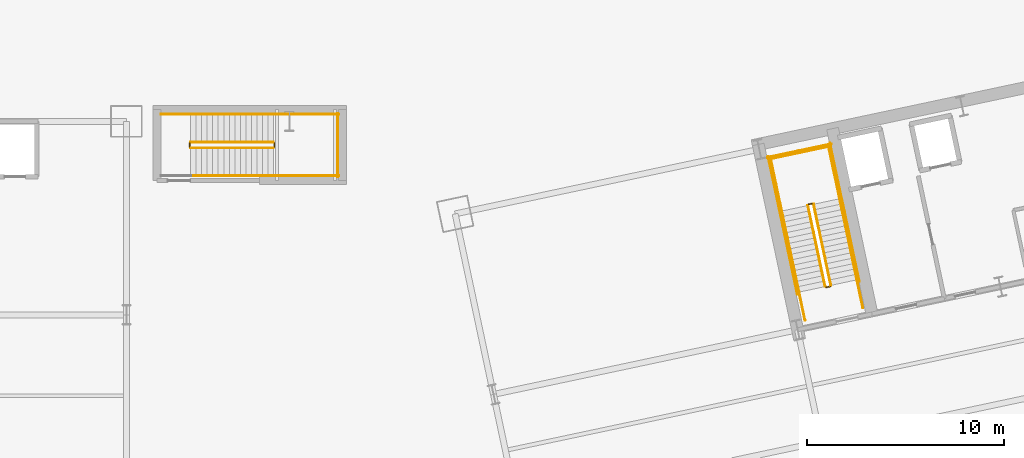
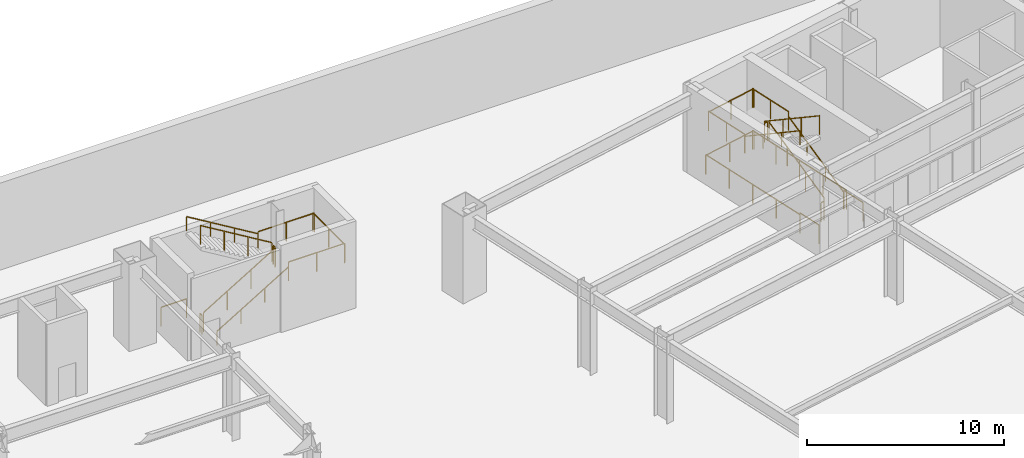
# One storey, part 15 of 16: 24 railings.
"""IFC4 building model written with IfcOpenShell, lengths in metres."""

from ifc_helpers import new_model, si_unit, direction, frame, origin, origin_2d, place, context, subcontext, project, spatial, rectangle, extrude, material, type_object, element, save


model = new_model("IFC4")

# Units and contexts
model_context = context("Model", 3, precision=1e-05, world=origin(), true_north=direction((0.0, 1.0)))
body_context = subcontext(model_context, "Body", "Model", "MODEL_VIEW")
ifc_project = project(units=[si_unit("LENGTHUNIT", "METRE"), si_unit("AREAUNIT", "SQUARE_METRE"), si_unit("VOLUMEUNIT", "CUBIC_METRE"), si_unit("PLANEANGLEUNIT", "RADIAN"), si_unit("MASSUNIT", "GRAM", prefix="KILO")], contexts=[model_context])

# Site, building, storey
site_placement = place(None, origin())
site = spatial("IfcSite", under=ifc_project, at=site_placement, CompositionType="ELEMENT")
building_placement = place(site_placement, origin())
building = spatial("IfcBuilding", under=site, at=building_placement, Name="Haevon Station Towers", CompositionType="ELEMENT")
storey_placement = place(building_placement, frame((0.0, 0.0, -5.39990234375)))
storey = spatial("IfcBuildingStorey", under=building, at=storey_placement, Name="B01", CompositionType="ELEMENT", Elevation=-5.39990234375)

# Railings
ifc_material = material(Name="Steel S355", Category="steel")
railing_type_1 = type_object("IfcRailingType", Name="GRD-STR1200", PredefinedType="GUARDRAIL", material=ifc_material)
railing_1_placement = place(storey_placement, frame((100.44140625, 39.69287109375, 0.168701171875)))
element("IfcRailing", 1, at=railing_1_placement, inside=storey, type_object=railing_type_1, Name="B01 ST3 Stair Guard 1", PredefinedType="GUARDRAIL", context=body_context, shape_type="SweptSolid", body=[
    extrude(rectangle(XDim=0.048095703125, YDim=0.048095703125, at=origin_2d()), frame((0.0, 0.0, 1.17578125), z_axis=(-0.1780862493, 0.837757147603, 0.516186254612), x_axis=(-0.978143927149, -0.207928972925, 0.0)), (0.0, 0.0, 1.0), 4.90380859375),
    extrude(rectangle(XDim=0.0419921875, YDim=0.0419921875, at=origin_2d()), origin(), (0.0, 0.0, 1.0), 1.15185546875),
    extrude(rectangle(XDim=0.0419921875, YDim=0.0419921875, at=origin_2d()), frame((-0.291015625, 1.369384765625, 0.84375)), (0.0, 0.0, 1.0), 1.15185546875),
    extrude(rectangle(XDim=0.0419921875, YDim=0.0419921875, at=origin_2d()), frame((-0.582275390625, 2.73876953125, 1.6875)), (0.0, 0.0, 1.0), 1.15185546875),
    extrude(rectangle(XDim=0.0419921875, YDim=0.0419921875, at=origin_2d()), frame((-0.873291015625, 4.108154296875, 2.53125)), (0.0, 0.0, 1.0), 1.15185546875),
])
railing_2_placement = place(storey_placement, frame((99.5087890625, 43.839599609375, 2.699951171875)))
element("IfcRailing", 2, at=railing_2_placement, inside=storey, type_object=railing_type_1, Name="B01 ST3 Stair Guard 2", PredefinedType="GUARDRAIL", context=body_context, shape_type="SweptSolid", body=[
    extrude(rectangle(XDim=0.048095703125, YDim=0.048095703125, at=origin_2d()), frame((0.0, 0.0, 1.17578125), z_axis=(-0.977962931203, -0.208778603291, 0.0), x_axis=(0.208778603291, -0.977962931203, 0.0)), (0.0, 0.0, 1.0), 0.199951171875),
    extrude(rectangle(XDim=0.0419921875, YDim=0.0419921875, at=origin_2d()), origin(), (0.0, 0.0, 1.0), 1.15185546875),
    extrude(rectangle(XDim=0.0419921875, YDim=0.0419921875, at=origin_2d()), frame((-0.195556640625, -0.041748046875, 0.0)), (0.0, 0.0, 1.0), 1.15185546875),
])
railing_3_placement = place(storey_placement, frame((100.888671875, 44.08154296875, 2.699951171875)))
element("IfcRailing", 3, at=railing_3_placement, inside=storey, type_object=railing_type_1, Name="B01 ST3 Stair Guard 3", PredefinedType="GUARDRAIL", context=body_context, shape_type="SweptSolid", body=[
    extrude(rectangle(XDim=0.048095703125, YDim=0.048095703125, at=origin_2d()), frame((0.0, 0.0, 1.17578125), z_axis=(-0.207916090984, 0.978146665439, 0.0), x_axis=(-0.978146665439, -0.207916090984, 0.0)), (0.0, 0.0, 1.0), 2.75),
    extrude(rectangle(XDim=0.0419921875, YDim=0.0419921875, at=origin_2d()), origin(), (0.0, 0.0, 1.0), 1.15185546875),
    extrude(rectangle(XDim=0.0419921875, YDim=0.0419921875, at=origin_2d()), frame((-0.285888671875, 1.344970703125, 0.0)), (0.0, 0.0, 1.0), 1.15185546875),
    extrude(rectangle(XDim=0.0419921875, YDim=0.0419921875, at=origin_2d()), frame((-0.57177734375, 2.68994140625, 0.0)), (0.0, 0.0, 1.0), 1.15185546875),
])
railing_4_placement = place(storey_placement, frame((97.9541015625, 43.4580078125, 2.699951171875)))
element("IfcRailing", 4, at=railing_4_placement, inside=storey, type_object=railing_type_1, Name="B01 ST3 Stair Guard 4", PredefinedType="GUARDRAIL", context=body_context, shape_type="SweptSolid", body=[
    extrude(rectangle(XDim=0.048095703125, YDim=0.048095703125, at=origin_2d()), frame((0.0, 0.0, 1.17578125), z_axis=(-0.207831149236, 0.97816471691, 0.0), x_axis=(-0.97816471691, -0.207831149236, 0.0)), (0.0, 0.0, 1.0), 2.75),
    extrude(rectangle(XDim=0.0419921875, YDim=0.0419921875, at=origin_2d()), origin(), (0.0, 0.0, 1.0), 1.15185546875),
    extrude(rectangle(XDim=0.0419921875, YDim=0.0419921875, at=origin_2d()), frame((-0.28564453125, 1.344970703125, 0.0)), (0.0, 0.0, 1.0), 1.15185546875),
    extrude(rectangle(XDim=0.0419921875, YDim=0.0419921875, at=origin_2d()), frame((-0.571533203125, 2.68994140625, 0.0)), (0.0, 0.0, 1.0), 1.15185546875),
])
railing_5_placement = place(storey_placement, frame((100.376220703125, 46.733154296875, 2.699951171875)))
element("IfcRailing", 5, at=railing_5_placement, inside=storey, type_object=railing_type_1, Name="B01 ST3 Stair Guard 5", PredefinedType="GUARDRAIL", context=body_context, shape_type="SweptSolid", body=[
    extrude(rectangle(XDim=0.048095703125, YDim=0.048095703125, at=origin_2d()), frame((0.0, 0.0, 1.17578125), z_axis=(-0.978146839882, -0.207915270313, 0.0), x_axis=(0.207915270313, -0.978146839882, 0.0)), (0.0, 0.0, 1.0), 3.099853515625),
    extrude(rectangle(XDim=0.0419921875, YDim=0.0419921875, at=origin_2d()), origin(), (0.0, 0.0, 1.0), 1.15185546875),
    extrude(rectangle(XDim=0.0419921875, YDim=0.0419921875, at=origin_2d()), frame((-1.51611328125, -0.322265625, 0.0)), (0.0, 0.0, 1.0), 1.15185546875),
    extrude(rectangle(XDim=0.0419921875, YDim=0.0419921875, at=origin_2d()), frame((-3.0322265625, -0.64453125, 0.0)), (0.0, 0.0, 1.0), 1.15185546875),
])
railing_6_placement = place(storey_placement, frame((99.274658203125, 43.738525390625, 2.86865234375)))
element("IfcRailing", 6, at=railing_6_placement, inside=storey, type_object=railing_type_1, Name="B01 ST3 Stair Guard 6", PredefinedType="GUARDRAIL", context=body_context, shape_type="SweptSolid", body=[
    extrude(rectangle(XDim=0.048095703125, YDim=0.048095703125, at=origin_2d()), frame((0.0, 0.0, 1.17578125), z_axis=(0.1780862493, -0.837757147603, 0.516186254612), x_axis=(0.978143927149, 0.207928972925, 0.0)), (0.0, 0.0, 1.0), 4.90380859375),
    extrude(rectangle(XDim=0.0419921875, YDim=0.0419921875, at=origin_2d()), origin(), (0.0, 0.0, 1.0), 1.15185546875),
    extrude(rectangle(XDim=0.0419921875, YDim=0.0419921875, at=origin_2d()), frame((0.291015625, -1.369384765625, 0.84375)), (0.0, 0.0, 1.0), 1.15185546875),
    extrude(rectangle(XDim=0.0419921875, YDim=0.0419921875, at=origin_2d()), frame((0.582275390625, -2.73876953125, 1.6875)), (0.0, 0.0, 1.0), 1.15185546875),
    extrude(rectangle(XDim=0.0419921875, YDim=0.0419921875, at=origin_2d()), frame((0.873291015625, -4.108154296875, 2.53125)), (0.0, 0.0, 1.0), 1.15185546875),
])
railing_7_placement = place(storey_placement, frame((100.40283203125, 39.633544921875, 0.0)))
element("IfcRailing", 7, at=railing_7_placement, inside=storey, type_object=railing_type_1, Name="B01 ST3 Stair Guard 7", PredefinedType="GUARDRAIL", context=body_context, shape_type="SweptSolid", body=[
    extrude(rectangle(XDim=0.048095703125, YDim=0.048095703125, at=origin_2d()), frame((0.0, 0.0, 1.17578125), z_axis=(-0.977962931203, -0.208778603291, 0.0), x_axis=(0.208778603291, -0.977962931203, 0.0)), (0.0, 0.0, 1.0), 0.199951171875),
    extrude(rectangle(XDim=0.0419921875, YDim=0.0419921875, at=origin_2d()), origin(), (0.0, 0.0, 1.0), 1.15185546875),
    extrude(rectangle(XDim=0.0419921875, YDim=0.0419921875, at=origin_2d()), frame((-0.195556640625, -0.041748046875, 0.0)), (0.0, 0.0, 1.0), 1.15185546875),
])
for number, where, name in (
    (8, (102.0634765625, 38.55517578125, 0.0), "B01 ST3 Stair Guard 8"),
    (9, (99.12890625, 37.931396484375, 0.0), "B01 ST3 Stair Guard 9"),
):
    element("IfcRailing", number, at=place(storey_placement, frame(where)), inside=storey, type_object=railing_type_1, Name=name, PredefinedType="GUARDRAIL", context=body_context, shape_type="SweptSolid", body=[
        extrude(rectangle(XDim=0.048095703125, YDim=0.048095703125, at=origin_2d()), frame((0.0, 0.0, 1.17578125), z_axis=(-0.207953405961, 0.978138732977, 0.0), x_axis=(-0.978138732977, -0.207953405961, 0.0)), (0.0, 0.0, 1.0), 1.449951171875),
        extrude(rectangle(XDim=0.0419921875, YDim=0.0419921875, at=origin_2d()), origin(), (0.0, 0.0, 1.0), 1.15185546875),
        extrude(rectangle(XDim=0.0419921875, YDim=0.0419921875, at=origin_2d()), frame((-0.301513671875, 1.418212890625, 0.0)), (0.0, 0.0, 1.0), 1.15185546875),
    ])
railing_8_placement = place(storey_placement, frame((101.88037109375, 39.896484375, 0.0)))
element("IfcRailing", 10, at=railing_8_placement, inside=storey, type_object=railing_type_1, Name="B01 ST3 Stair Guard 10", PredefinedType="GUARDRAIL", context=body_context, shape_type="SweptSolid", body=[
    extrude(rectangle(XDim=0.048095703125, YDim=0.048095703125, at=origin_2d()), frame((0.0, 0.0, 1.17578125), z_axis=(-0.207882442208, 0.978153817261, 0.0), x_axis=(-0.978153817261, -0.207882442208, 0.0)), (0.0, 0.0, 1.0), 7.14990234375),
    extrude(rectangle(XDim=0.0419921875, YDim=0.0419921875, at=origin_2d()), origin(), (0.0, 0.0, 1.0), 1.15185546875),
    extrude(rectangle(XDim=0.0419921875, YDim=0.0419921875, at=origin_2d()), frame((-0.37158203125, 1.74853515625, 0.0)), (0.0, 0.0, 1.0), 1.15185546875),
    extrude(rectangle(XDim=0.0419921875, YDim=0.0419921875, at=origin_2d()), frame((-0.7431640625, 3.496826171875, 0.0)), (0.0, 0.0, 1.0), 1.15185546875),
    extrude(rectangle(XDim=0.0419921875, YDim=0.0419921875, at=origin_2d()), frame((-1.11474609375, 5.2451171875, 0.0)), (0.0, 0.0, 1.0), 1.15185546875),
    extrude(rectangle(XDim=0.0419921875, YDim=0.0419921875, at=origin_2d()), frame((-1.486328125, 6.99365234375, 0.0)), (0.0, 0.0, 1.0), 1.15185546875),
])
railing_9_placement = place(storey_placement, frame((98.75048828125, 39.231201171875, 0.0)))
element("IfcRailing", 11, at=railing_9_placement, inside=storey, type_object=railing_type_1, Name="B01 ST3 Stair Guard 11", PredefinedType="GUARDRAIL", context=body_context, shape_type="SweptSolid", body=[
    extrude(rectangle(XDim=0.048095703125, YDim=0.048095703125, at=origin_2d()), frame((0.0, 0.0, 1.17578125), z_axis=(-0.207915112487, 0.978146873429, 0.0), x_axis=(-0.978146873429, -0.207915112487, 0.0)), (0.0, 0.0, 1.0), 7.14990234375),
    extrude(rectangle(XDim=0.0419921875, YDim=0.0419921875, at=origin_2d()), origin(), (0.0, 0.0, 1.0), 1.15185546875),
    extrude(rectangle(XDim=0.0419921875, YDim=0.0419921875, at=origin_2d()), frame((-0.37158203125, 1.74853515625, 0.0)), (0.0, 0.0, 1.0), 1.15185546875),
    extrude(rectangle(XDim=0.0419921875, YDim=0.0419921875, at=origin_2d()), frame((-0.7431640625, 3.496826171875, 0.0)), (0.0, 0.0, 1.0), 1.15185546875),
    extrude(rectangle(XDim=0.0419921875, YDim=0.0419921875, at=origin_2d()), frame((-1.114990234375, 5.2451171875, 0.0)), (0.0, 0.0, 1.0), 1.15185546875),
    extrude(rectangle(XDim=0.0419921875, YDim=0.0419921875, at=origin_2d()), frame((-1.486572265625, 6.99365234375, 0.0)), (0.0, 0.0, 1.0), 1.15185546875),
])
railing_10_placement = place(storey_placement, frame((100.453125, 46.8515625, 0.0)))
element("IfcRailing", 12, at=railing_10_placement, inside=storey, type_object=railing_type_1, Name="B01 ST3 Stair Guard 12", PredefinedType="GUARDRAIL", context=body_context, shape_type="SweptSolid", body=[
    extrude(rectangle(XDim=0.048095703125, YDim=0.048095703125, at=origin_2d()), frame((0.0, 0.0, 1.17578125), z_axis=(-0.978150764849, -0.207896804268, 0.0), x_axis=(0.207896804268, -0.978150764849, 0.0)), (0.0, 0.0, 1.0), 3.2998046875),
    extrude(rectangle(XDim=0.0419921875, YDim=0.0419921875, at=origin_2d()), origin(), (0.0, 0.0, 1.0), 1.15185546875),
    extrude(rectangle(XDim=0.0419921875, YDim=0.0419921875, at=origin_2d()), frame((-1.61376953125, -0.343017578125, 0.0)), (0.0, 0.0, 1.0), 1.15185546875),
    extrude(rectangle(XDim=0.0419921875, YDim=0.0419921875, at=origin_2d()), frame((-3.227783203125, -0.68603515625, 0.0)), (0.0, 0.0, 1.0), 1.15185546875),
])
railing_11_placement = place(storey_placement, frame((68.0, 46.64990234375, 0.168701171875)))
element("IfcRailing", 13, at=railing_11_placement, inside=storey, type_object=railing_type_1, Name="B01 ST6 Stair Guard 1", PredefinedType="GUARDRAIL", context=body_context, shape_type="SweptSolid", body=[
    extrude(rectangle(XDim=0.048095703125, YDim=0.048095703125, at=origin_2d()), frame((0.0, 0.0, 1.17578125), z_axis=(0.856476492594, 0.0, 0.516186030065), x_axis=(0.0, 1.0, 0.0)), (0.0, 0.0, 1.0), 4.90380859375),
    extrude(rectangle(XDim=0.0419921875, YDim=0.0419921875, at=origin_2d()), origin(), (0.0, 0.0, 1.0), 1.15185546875),
    extrude(rectangle(XDim=0.0419921875, YDim=0.0419921875, at=origin_2d()), frame((1.39990234375, 0.0, 0.84375)), (0.0, 0.0, 1.0), 1.15185546875),
    extrude(rectangle(XDim=0.0419921875, YDim=0.0419921875, at=origin_2d()), frame((2.800048828125, 0.0, 1.6875)), (0.0, 0.0, 1.0), 1.15185546875),
    extrude(rectangle(XDim=0.0419921875, YDim=0.0419921875, at=origin_2d()), frame((4.199951171875, 0.0, 2.53125)), (0.0, 0.0, 1.0), 1.15185546875),
])
railing_12_placement = place(storey_placement, frame((72.25, 46.699951171875, 2.699951171875)))
element("IfcRailing", 14, at=railing_12_placement, inside=storey, type_object=railing_type_1, Name="B01 ST6 Stair Guard 2", PredefinedType="GUARDRAIL", context=body_context, shape_type="SweptSolid", body=[
    extrude(rectangle(XDim=0.048095703125, YDim=0.048095703125, at=origin_2d()), frame((0.0, 0.0, 1.17578125), z_axis=(0.0, 1.0, 0.0), x_axis=(-1.0, 0.0, 0.0)), (0.0, 0.0, 1.0), 0.199951171875),
    extrude(rectangle(XDim=0.0419921875, YDim=0.0419921875, at=origin_2d()), origin(), (0.0, 0.0, 1.0), 1.15185546875),
    extrude(rectangle(XDim=0.0419921875, YDim=0.0419921875, at=origin_2d()), frame((0.0, 0.199951171875, 0.0)), (0.0, 0.0, 1.0), 1.15185546875),
])
for number, where, name in (
    (15, (72.199951171875, 45.25, 2.699951171875), "B01 ST6 Stair Guard 3"),
    (16, (72.199951171875, 48.35009765625, 2.699951171875), "B01 ST6 Stair Guard 4"),
):
    element("IfcRailing", number, at=place(storey_placement, frame(where)), inside=storey, type_object=railing_type_1, Name=name, PredefinedType="GUARDRAIL", context=body_context, shape_type="SweptSolid", body=[
        extrude(rectangle(XDim=0.048095703125, YDim=0.048095703125, at=origin_2d()), frame((0.0, 0.0, 1.17578125), z_axis=(1.0, 0.0, 0.0), x_axis=(0.0, 1.0, 0.0)), (0.0, 0.0, 1.0), 3.300048828125),
        extrude(rectangle(XDim=0.0419921875, YDim=0.0419921875, at=origin_2d()), origin(), (0.0, 0.0, 1.0), 1.15185546875),
        extrude(rectangle(XDim=0.0419921875, YDim=0.0419921875, at=origin_2d()), frame((1.64990234375, 0.0, 0.0)), (0.0, 0.0, 1.0), 1.15185546875),
        extrude(rectangle(XDim=0.0419921875, YDim=0.0419921875, at=origin_2d()), frame((3.300048828125, 0.0, 0.0)), (0.0, 0.0, 1.0), 1.15185546875),
    ])
railing_13_placement = place(storey_placement, frame((75.449951171875, 45.199951171875, 2.699951171875)))
element("IfcRailing", 17, at=railing_13_placement, inside=storey, type_object=railing_type_1, Name="B01 ST6 Stair Guard 5", PredefinedType="GUARDRAIL", context=body_context, shape_type="SweptSolid", body=[
    extrude(rectangle(XDim=0.048095703125, YDim=0.048095703125, at=origin_2d()), frame((0.0, 0.0, 1.17578125), z_axis=(0.0, 1.0, 0.0), x_axis=(-1.0, 0.0, 0.0)), (0.0, 0.0, 1.0), 3.199951171875),
    extrude(rectangle(XDim=0.0419921875, YDim=0.0419921875, at=origin_2d()), origin(), (0.0, 0.0, 1.0), 1.15185546875),
    extrude(rectangle(XDim=0.0419921875, YDim=0.0419921875, at=origin_2d()), frame((0.0, 1.60009765625, 0.0)), (0.0, 0.0, 1.0), 1.15185546875),
    extrude(rectangle(XDim=0.0419921875, YDim=0.0419921875, at=origin_2d()), frame((0.0, 3.199951171875, 0.0)), (0.0, 0.0, 1.0), 1.15185546875),
])
railing_14_placement = place(storey_placement, frame((72.199951171875, 46.949951171875, 2.86865234375)))
element("IfcRailing", 18, at=railing_14_placement, inside=storey, type_object=railing_type_1, Name="B01 ST6 Stair Guard 6", PredefinedType="GUARDRAIL", context=body_context, shape_type="SweptSolid", body=[
    extrude(rectangle(XDim=0.048095703125, YDim=0.048095703125, at=origin_2d()), frame((0.0, 0.0, 1.17578125), z_axis=(-0.856476492594, 0.0, 0.516186030065), x_axis=(0.0, -1.0, 0.0)), (0.0, 0.0, 1.0), 4.90380859375),
    extrude(rectangle(XDim=0.0419921875, YDim=0.0419921875, at=origin_2d()), origin(), (0.0, 0.0, 1.0), 1.15185546875),
    extrude(rectangle(XDim=0.0419921875, YDim=0.0419921875, at=origin_2d()), frame((-1.39990234375, 0.0, 0.84375)), (0.0, 0.0, 1.0), 1.15185546875),
    extrude(rectangle(XDim=0.0419921875, YDim=0.0419921875, at=origin_2d()), frame((-2.800048828125, 0.0, 1.6875)), (0.0, 0.0, 1.0), 1.15185546875),
    extrude(rectangle(XDim=0.0419921875, YDim=0.0419921875, at=origin_2d()), frame((-4.199951171875, 0.0, 2.53125)), (0.0, 0.0, 1.0), 1.15185546875),
])
railing_15_placement = place(storey_placement, frame((67.949951171875, 46.699951171875, 0.0)))
element("IfcRailing", 19, at=railing_15_placement, inside=storey, type_object=railing_type_1, Name="B01 ST6 Stair Guard 7", PredefinedType="GUARDRAIL", context=body_context, shape_type="SweptSolid", body=[
    extrude(rectangle(XDim=0.048095703125, YDim=0.048095703125, at=origin_2d()), frame((0.0, 0.0, 1.17578125), z_axis=(0.0, 1.0, 0.0), x_axis=(-1.0, 0.0, 0.0)), (0.0, 0.0, 1.0), 0.199951171875),
    extrude(rectangle(XDim=0.0419921875, YDim=0.0419921875, at=origin_2d()), origin(), (0.0, 0.0, 1.0), 1.15185546875),
    extrude(rectangle(XDim=0.0419921875, YDim=0.0419921875, at=origin_2d()), frame((0.0, 0.199951171875, 0.0)), (0.0, 0.0, 1.0), 1.15185546875),
])
railing_16_placement = place(storey_placement, frame((66.5, 48.35009765625, 0.0)))
element("IfcRailing", 20, at=railing_16_placement, inside=storey, type_object=railing_type_1, Name="B01 ST6 Stair Guard 9", PredefinedType="GUARDRAIL", context=body_context, shape_type="SweptSolid", body=[
    extrude(rectangle(XDim=0.048095703125, YDim=0.048095703125, at=origin_2d()), frame((0.0, 0.0, 1.17578125), z_axis=(1.0, 0.0, 0.0), x_axis=(0.0, 1.0, 0.0)), (0.0, 0.0, 1.0), 1.5),
    extrude(rectangle(XDim=0.0419921875, YDim=0.0419921875, at=origin_2d()), origin(), (0.0, 0.0, 1.0), 1.15185546875),
    extrude(rectangle(XDim=0.0419921875, YDim=0.0419921875, at=origin_2d()), frame((1.5, 0.0, 0.0)), (0.0, 0.0, 1.0), 1.15185546875),
])
railing_type_2 = type_object("IfcRailingType", Name="HND-STR900", PredefinedType="HANDRAIL", material=ifc_material)
railing_17_placement = place(storey_placement, frame((101.761962890625, 39.973388671875, 0.168701171875)))
element("IfcRailing", 21, at=railing_17_placement, inside=storey, type_object=railing_type_2, Name="B01 ST3 Stair Handrail 1", PredefinedType="HANDRAIL", context=body_context, shape_type="SweptSolid", body=[
    extrude(rectangle(XDim=0.048095703125, YDim=0.048095703125, at=origin_2d()), frame((0.0, 0.0, 0.8759765625), z_axis=(-0.1780862493, 0.837757147603, 0.516186254612), x_axis=(-0.978143927149, -0.207928972925, 0.0)), (0.0, 0.0, 1.0), 4.90380859375),
    extrude(rectangle(XDim=0.0419921875, YDim=0.0419921875, at=origin_2d()), origin(), (0.0, 0.0, 1.0), 0.851806640625),
    extrude(rectangle(XDim=0.0419921875, YDim=0.0419921875, at=origin_2d()), frame((-0.291015625, 1.369384765625, 0.84375)), (0.0, 0.0, 1.0), 0.851806640625),
    extrude(rectangle(XDim=0.0419921875, YDim=0.0419921875, at=origin_2d()), frame((-0.582275390625, 2.73876953125, 1.6875)), (0.0, 0.0, 1.0), 0.851806640625),
    extrude(rectangle(XDim=0.0419921875, YDim=0.0419921875, at=origin_2d()), frame((-0.873291015625, 4.108154296875, 2.53125)), (0.0, 0.0, 1.0), 0.851806640625),
])
railing_18_placement = place(storey_placement, frame((97.9541015625, 43.4580078125, 2.86865234375)))
element("IfcRailing", 22, at=railing_18_placement, inside=storey, type_object=railing_type_2, Name="B01 ST3 Stair Handrail 2", PredefinedType="HANDRAIL", context=body_context, shape_type="SweptSolid", body=[
    extrude(rectangle(XDim=0.048095703125, YDim=0.048095703125, at=origin_2d()), frame((0.0, 0.0, 0.8759765625), z_axis=(0.178078821748, -0.83777199116, 0.516164725716), x_axis=(0.978146440129, 0.207917150959, 0.0)), (0.0, 0.0, 1.0), 4.904052734375),
    extrude(rectangle(XDim=0.0419921875, YDim=0.0419921875, at=origin_2d()), origin(), (0.0, 0.0, 1.0), 0.851806640625),
    extrude(rectangle(XDim=0.0419921875, YDim=0.0419921875, at=origin_2d()), frame((0.291015625, -1.369384765625, 0.84375)), (0.0, 0.0, 1.0), 0.851806640625),
    extrude(rectangle(XDim=0.0419921875, YDim=0.0419921875, at=origin_2d()), frame((0.582275390625, -2.739013671875, 1.6875)), (0.0, 0.0, 1.0), 0.851806640625),
    extrude(rectangle(XDim=0.0419921875, YDim=0.0419921875, at=origin_2d()), frame((0.873291015625, -4.1083984375, 2.53125)), (0.0, 0.0, 1.0), 0.851806640625),
])
railing_19_placement = place(storey_placement, frame((68.0, 45.25, 0.168701171875)))
element("IfcRailing", 23, at=railing_19_placement, inside=storey, type_object=railing_type_2, Name="B01 ST6 Stair Handrail 1", PredefinedType="HANDRAIL", context=body_context, shape_type="SweptSolid", body=[
    extrude(rectangle(XDim=0.048095703125, YDim=0.048095703125, at=origin_2d()), frame((0.0, 0.0, 0.8759765625), z_axis=(0.856476492594, 0.0, 0.516186030065), x_axis=(0.0, 1.0, 0.0)), (0.0, 0.0, 1.0), 4.90380859375),
    extrude(rectangle(XDim=0.0419921875, YDim=0.0419921875, at=origin_2d()), origin(), (0.0, 0.0, 1.0), 0.851806640625),
    extrude(rectangle(XDim=0.0419921875, YDim=0.0419921875, at=origin_2d()), frame((1.39990234375, 0.0, 0.84375)), (0.0, 0.0, 1.0), 0.851806640625),
    extrude(rectangle(XDim=0.0419921875, YDim=0.0419921875, at=origin_2d()), frame((2.800048828125, 0.0, 1.6875)), (0.0, 0.0, 1.0), 0.851806640625),
    extrude(rectangle(XDim=0.0419921875, YDim=0.0419921875, at=origin_2d()), frame((4.199951171875, 0.0, 2.53125)), (0.0, 0.0, 1.0), 0.851806640625),
])
railing_20_placement = place(storey_placement, frame((72.199951171875, 48.35009765625, 2.86865234375)))
element("IfcRailing", 24, at=railing_20_placement, inside=storey, type_object=railing_type_2, Name="B01 ST6 Stair Handrail 2", PredefinedType="HANDRAIL", context=body_context, shape_type="SweptSolid", body=[
    extrude(rectangle(XDim=0.048095703125, YDim=0.048095703125, at=origin_2d()), frame((0.0, 0.0, 0.8759765625), z_axis=(-0.856476492594, 0.0, 0.516186030065), x_axis=(0.0, -1.0, 0.0)), (0.0, 0.0, 1.0), 4.90380859375),
    extrude(rectangle(XDim=0.0419921875, YDim=0.0419921875, at=origin_2d()), origin(), (0.0, 0.0, 1.0), 0.851806640625),
    extrude(rectangle(XDim=0.0419921875, YDim=0.0419921875, at=origin_2d()), frame((-1.39990234375, 0.0, 0.84375)), (0.0, 0.0, 1.0), 0.851806640625),
    extrude(rectangle(XDim=0.0419921875, YDim=0.0419921875, at=origin_2d()), frame((-2.800048828125, 0.0, 1.6875)), (0.0, 0.0, 1.0), 0.851806640625),
    extrude(rectangle(XDim=0.0419921875, YDim=0.0419921875, at=origin_2d()), frame((-4.199951171875, 0.0, 2.53125)), (0.0, 0.0, 1.0), 0.851806640625),
])

save(model, "model.ifc")
